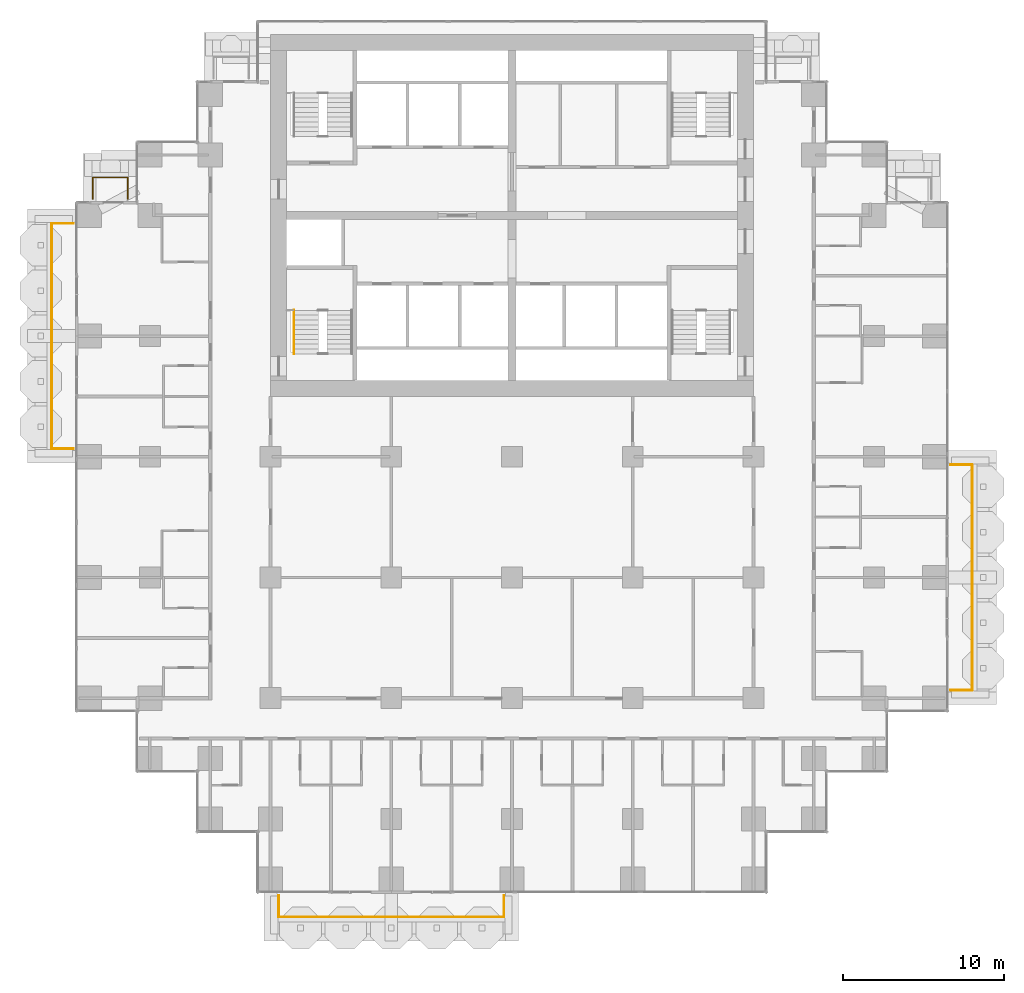
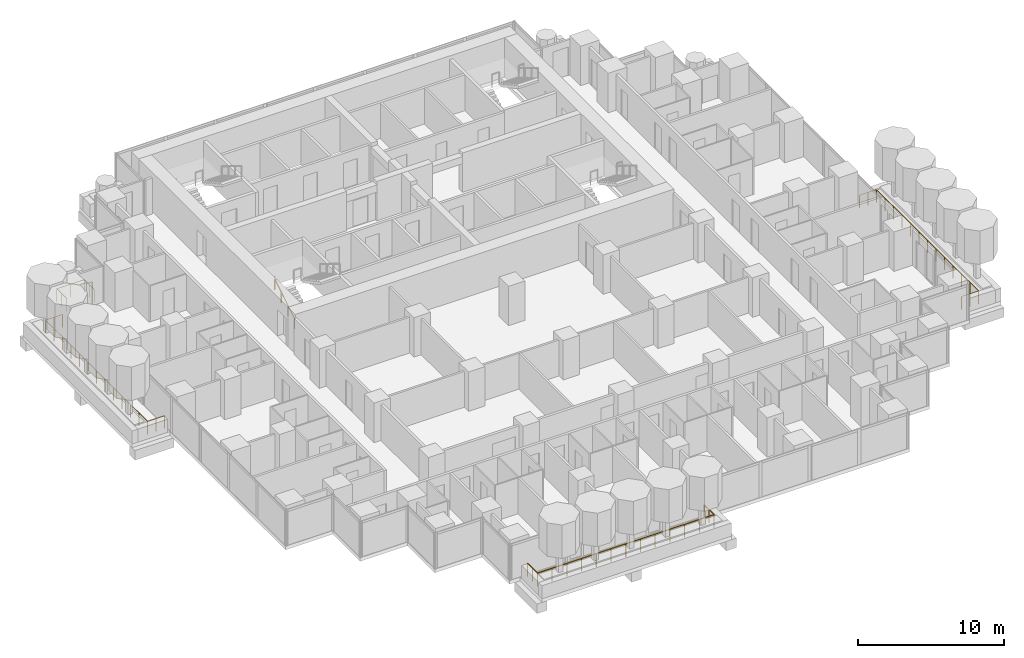
# One storey, part 17 of 19: 5 railings.
"""IFC4 building model written with IfcOpenShell, lengths in metres."""

from ifc_helpers import new_model, si_unit, direction, frame, origin, origin_2d, place, context, subcontext, project, spatial, circle, extrude, material, type_object, element, save


model = new_model("IFC4")

# Units and contexts
model_context = context("Model", 3, precision=1e-05, world=origin(), true_north=direction((0.0, 1.0)))
body_context = subcontext(model_context, "Body", "Model", "MODEL_VIEW")
ifc_project = project(units=[si_unit("LENGTHUNIT", "METRE"), si_unit("AREAUNIT", "SQUARE_METRE"), si_unit("VOLUMEUNIT", "CUBIC_METRE"), si_unit("PLANEANGLEUNIT", "RADIAN"), si_unit("MASSUNIT", "GRAM", prefix="KILO")], contexts=[model_context])

# Site, building, storey
site_placement = place(None, origin())
site = spatial("IfcSite", under=ifc_project, at=site_placement, CompositionType="ELEMENT")
building_placement = place(site_placement, origin())
building = spatial("IfcBuilding", under=site, at=building_placement, Name="Pilkhan Gate Tower", CompositionType="ELEMENT")
storey_placement = place(building_placement, frame((0.0, 0.0, 95.60009765625)))
storey = spatial("IfcBuildingStorey", under=building, at=storey_placement, Name="L23", CompositionType="ELEMENT", Elevation=95.60009765625)

# Railings
ifc_material_1 = material(Name="Pale anodised aluminium posts, laminated glass infill", Category="aluminium")
railing_type_1 = type_object("IfcRailingType", Name="Balcony guard G1", PredefinedType="BALUSTRADE", material=ifc_material_1)
railing_1_placement = place(storey_placement, frame((60.5, 40.25, 0.0)))
element("IfcRailing", 1, at=railing_1_placement, inside=storey, type_object=railing_type_1, Name="Balcony guard L23 S", PredefinedType="BALUSTRADE", context=body_context, shape_type="SweptSolid", body=[
    extrude(circle(Radius=0.02392578125, at=origin_2d()), frame((0.0, 0.0, 1.076171875), z_axis=(0.0, -1.0, 0.0), x_axis=(1.0, 0.0, 0.0)), (0.0, 0.0, 1.0), 1.35009765625),
    extrude(circle(Radius=0.02392578125, at=origin_2d()), frame((0.0, -1.35009765625, 1.076171875), z_axis=(1.0, 0.0, 0.0), x_axis=(0.0, 1.0, 0.0)), (0.0, 0.0, 1.0), 14.0),
    extrude(circle(Radius=0.02392578125, at=origin_2d()), frame((14.0, -1.35009765625, 1.076171875), z_axis=(0.0, 1.0, 0.0), x_axis=(-1.0, 0.0, 0.0)), (0.0, 0.0, 1.0), 1.35009765625),
    extrude(circle(Radius=0.02099609375, at=origin_2d()), origin(), (0.0, 0.0, 1.0), 1.052001953125),
    extrude(circle(Radius=0.02099609375, at=origin_2d()), frame((0.0, -0.675048828125, 0.0)), (0.0, 0.0, 1.0), 1.052001953125),
    extrude(circle(Radius=0.02099609375, at=origin_2d()), frame((0.0, -1.35009765625, 0.0)), (0.0, 0.0, 1.0), 1.052001953125),
    extrude(circle(Radius=0.02099609375, at=origin_2d()), frame((1.166748046875, -1.35009765625, 0.0)), (0.0, 0.0, 1.0), 1.052001953125),
    extrude(circle(Radius=0.02099609375, at=origin_2d()), frame((2.333251953125, -1.35009765625, 0.0)), (0.0, 0.0, 1.0), 1.052001953125),
    extrude(circle(Radius=0.02099609375, at=origin_2d()), frame((3.5, -1.35009765625, 0.0)), (0.0, 0.0, 1.0), 1.052001953125),
    extrude(circle(Radius=0.02099609375, at=origin_2d()), frame((4.666748046875, -1.35009765625, 0.0)), (0.0, 0.0, 1.0), 1.052001953125),
    extrude(circle(Radius=0.02099609375, at=origin_2d()), frame((5.833251953125, -1.35009765625, 0.0)), (0.0, 0.0, 1.0), 1.052001953125),
    extrude(circle(Radius=0.02099609375, at=origin_2d()), frame((7.0, -1.35009765625, 0.0)), (0.0, 0.0, 1.0), 1.052001953125),
    extrude(circle(Radius=0.02099609375, at=origin_2d()), frame((8.166748046875, -1.35009765625, 0.0)), (0.0, 0.0, 1.0), 1.052001953125),
    extrude(circle(Radius=0.02099609375, at=origin_2d()), frame((9.333251953125, -1.35009765625, 0.0)), (0.0, 0.0, 1.0), 1.052001953125),
    extrude(circle(Radius=0.02099609375, at=origin_2d()), frame((10.5, -1.35009765625, 0.0)), (0.0, 0.0, 1.0), 1.052001953125),
    extrude(circle(Radius=0.02099609375, at=origin_2d()), frame((11.666748046875, -1.35009765625, 0.0)), (0.0, 0.0, 1.0), 1.052001953125),
    extrude(circle(Radius=0.02099609375, at=origin_2d()), frame((12.833251953125, -1.35009765625, 0.0)), (0.0, 0.0, 1.0), 1.052001953125),
    extrude(circle(Radius=0.02099609375, at=origin_2d()), frame((14.0, -1.35009765625, 0.0)), (0.0, 0.0, 1.0), 1.052001953125),
    extrude(circle(Radius=0.02099609375, at=origin_2d()), frame((14.0, -0.675048828125, 0.0)), (0.0, 0.0, 1.0), 1.052001953125),
    extrude(circle(Radius=0.02099609375, at=origin_2d()), frame((14.0, 0.0, 0.0)), (0.0, 0.0, 1.0), 1.052001953125),
])
railing_2_placement = place(storey_placement, frame((102.25, 53.0, 0.0)))
element("IfcRailing", 2, at=railing_2_placement, inside=storey, type_object=railing_type_1, Name="Balcony guard L23 E", PredefinedType="BALUSTRADE", context=body_context, shape_type="SweptSolid", body=[
    extrude(circle(Radius=0.02392578125, at=origin_2d()), frame((0.0, 0.0, 1.076171875), z_axis=(1.0, 0.0, 0.0), x_axis=(0.0, 1.0, 0.0)), (0.0, 0.0, 1.0), 1.35009765625),
    extrude(circle(Radius=0.02392578125, at=origin_2d()), frame((1.35009765625, 0.0, 1.076171875), z_axis=(0.0, 1.0, 0.0), x_axis=(-1.0, 0.0, 0.0)), (0.0, 0.0, 1.0), 14.0),
    extrude(circle(Radius=0.02392578125, at=origin_2d()), frame((1.35009765625, 14.0, 1.076171875), z_axis=(-1.0, 0.0, 0.0), x_axis=(0.0, -1.0, 0.0)), (0.0, 0.0, 1.0), 1.35009765625),
    extrude(circle(Radius=0.02099609375, at=origin_2d()), origin(), (0.0, 0.0, 1.0), 1.052001953125),
    extrude(circle(Radius=0.02099609375, at=origin_2d()), frame((0.675048828125, 0.0, 0.0)), (0.0, 0.0, 1.0), 1.052001953125),
    extrude(circle(Radius=0.02099609375, at=origin_2d()), frame((1.35009765625, 0.0, 0.0)), (0.0, 0.0, 1.0), 1.052001953125),
    extrude(circle(Radius=0.02099609375, at=origin_2d()), frame((1.35009765625, 1.166748046875, 0.0)), (0.0, 0.0, 1.0), 1.052001953125),
    extrude(circle(Radius=0.02099609375, at=origin_2d()), frame((1.35009765625, 2.333251953125, 0.0)), (0.0, 0.0, 1.0), 1.052001953125),
    extrude(circle(Radius=0.02099609375, at=origin_2d()), frame((1.35009765625, 3.5, 0.0)), (0.0, 0.0, 1.0), 1.052001953125),
    extrude(circle(Radius=0.02099609375, at=origin_2d()), frame((1.35009765625, 4.666748046875, 0.0)), (0.0, 0.0, 1.0), 1.052001953125),
    extrude(circle(Radius=0.02099609375, at=origin_2d()), frame((1.35009765625, 5.833251953125, 0.0)), (0.0, 0.0, 1.0), 1.052001953125),
    extrude(circle(Radius=0.02099609375, at=origin_2d()), frame((1.35009765625, 7.0, 0.0)), (0.0, 0.0, 1.0), 1.052001953125),
    extrude(circle(Radius=0.02099609375, at=origin_2d()), frame((1.35009765625, 8.166748046875, 0.0)), (0.0, 0.0, 1.0), 1.052001953125),
    extrude(circle(Radius=0.02099609375, at=origin_2d()), frame((1.35009765625, 9.333251953125, 0.0)), (0.0, 0.0, 1.0), 1.052001953125),
    extrude(circle(Radius=0.02099609375, at=origin_2d()), frame((1.35009765625, 10.5, 0.0)), (0.0, 0.0, 1.0), 1.052001953125),
    extrude(circle(Radius=0.02099609375, at=origin_2d()), frame((1.35009765625, 11.666748046875, 0.0)), (0.0, 0.0, 1.0), 1.052001953125),
    extrude(circle(Radius=0.02099609375, at=origin_2d()), frame((1.35009765625, 12.833251953125, 0.0)), (0.0, 0.0, 1.0), 1.052001953125),
    extrude(circle(Radius=0.02099609375, at=origin_2d()), frame((1.35009765625, 14.0, 0.0)), (0.0, 0.0, 1.0), 1.052001953125),
    extrude(circle(Radius=0.02099609375, at=origin_2d()), frame((0.675048828125, 14.0, 0.0)), (0.0, 0.0, 1.0), 1.052001953125),
    extrude(circle(Radius=0.02099609375, at=origin_2d()), frame((0.0, 14.0, 0.0)), (0.0, 0.0, 1.0), 1.052001953125),
])
railing_3_placement = place(storey_placement, frame((48.949951171875, 83.52001953125, 0.0)))
element("IfcRailing", 3, at=railing_3_placement, inside=storey, type_object=railing_type_1, Name="Balcony guard L23 N", PredefinedType="BALUSTRADE", context=body_context, shape_type="SweptSolid", body=[
    extrude(circle(Radius=0.02392578125, at=origin_2d()), frame((0.0, 0.0, 1.076171875), z_axis=(0.0, 1.0, 0.0), x_axis=(-1.0, 0.0, 0.0)), (0.0, 0.0, 1.0), 1.330078125),
    extrude(circle(Radius=0.02392578125, at=origin_2d()), frame((0.0, 1.330078125, 1.076171875), z_axis=(1.0, 0.0, 0.0), x_axis=(0.0, 1.0, 0.0)), (0.0, 0.0, 1.0), 2.179931640625),
    extrude(circle(Radius=0.02392578125, at=origin_2d()), frame((2.179931640625, 1.330078125, 1.076171875), z_axis=(0.0, -1.0, 0.0), x_axis=(1.0, 0.0, 0.0)), (0.0, 0.0, 1.0), 1.330078125),
    extrude(circle(Radius=0.02099609375, at=origin_2d()), origin(), (0.0, 0.0, 1.0), 1.052001953125),
    extrude(circle(Radius=0.02099609375, at=origin_2d()), frame((0.0, 0.6650390625, 0.0)), (0.0, 0.0, 1.0), 1.052001953125),
    extrude(circle(Radius=0.02099609375, at=origin_2d()), frame((0.0, 1.330078125, 0.0)), (0.0, 0.0, 1.0), 1.052001953125),
    extrude(circle(Radius=0.02099609375, at=origin_2d()), frame((1.08984375, 1.330078125, 0.0)), (0.0, 0.0, 1.0), 1.052001953125),
    extrude(circle(Radius=0.02099609375, at=origin_2d()), frame((2.179931640625, 1.330078125, 0.0)), (0.0, 0.0, 1.0), 1.052001953125),
    extrude(circle(Radius=0.02099609375, at=origin_2d()), frame((2.179931640625, 0.6650390625, 0.0)), (0.0, 0.0, 1.0), 1.052001953125),
    extrude(circle(Radius=0.02099609375, at=origin_2d()), frame((2.179931640625, 0.0, 0.0)), (0.0, 0.0, 1.0), 1.052001953125),
])
railing_4_placement = place(storey_placement, frame((47.75, 68.0, 0.0)))
element("IfcRailing", 4, at=railing_4_placement, inside=storey, type_object=railing_type_1, Name="Balcony guard L23 W", PredefinedType="BALUSTRADE", context=body_context, shape_type="SweptSolid", body=[
    extrude(circle(Radius=0.02392578125, at=origin_2d()), frame((0.0, 0.0, 1.076171875), z_axis=(-1.0, 0.0, 0.0), x_axis=(0.0, -1.0, 0.0)), (0.0, 0.0, 1.0), 1.35009765625),
    extrude(circle(Radius=0.02392578125, at=origin_2d()), frame((-1.35009765625, 0.0, 1.076171875), z_axis=(0.0, 1.0, 0.0), x_axis=(-1.0, 0.0, 0.0)), (0.0, 0.0, 1.0), 14.0),
    extrude(circle(Radius=0.02392578125, at=origin_2d()), frame((-1.35009765625, 14.0, 1.076171875), z_axis=(1.0, 0.0, 0.0), x_axis=(0.0, 1.0, 0.0)), (0.0, 0.0, 1.0), 1.35009765625),
    extrude(circle(Radius=0.02099609375, at=origin_2d()), origin(), (0.0, 0.0, 1.0), 1.052001953125),
    extrude(circle(Radius=0.02099609375, at=origin_2d()), frame((-0.675048828125, 0.0, 0.0)), (0.0, 0.0, 1.0), 1.052001953125),
    extrude(circle(Radius=0.02099609375, at=origin_2d()), frame((-1.35009765625, 0.0, 0.0)), (0.0, 0.0, 1.0), 1.052001953125),
    extrude(circle(Radius=0.02099609375, at=origin_2d()), frame((-1.35009765625, 1.166748046875, 0.0)), (0.0, 0.0, 1.0), 1.052001953125),
    extrude(circle(Radius=0.02099609375, at=origin_2d()), frame((-1.35009765625, 2.333251953125, 0.0)), (0.0, 0.0, 1.0), 1.052001953125),
    extrude(circle(Radius=0.02099609375, at=origin_2d()), frame((-1.35009765625, 3.5, 0.0)), (0.0, 0.0, 1.0), 1.052001953125),
    extrude(circle(Radius=0.02099609375, at=origin_2d()), frame((-1.35009765625, 4.666748046875, 0.0)), (0.0, 0.0, 1.0), 1.052001953125),
    extrude(circle(Radius=0.02099609375, at=origin_2d()), frame((-1.35009765625, 5.833251953125, 0.0)), (0.0, 0.0, 1.0), 1.052001953125),
    extrude(circle(Radius=0.02099609375, at=origin_2d()), frame((-1.35009765625, 7.0, 0.0)), (0.0, 0.0, 1.0), 1.052001953125),
    extrude(circle(Radius=0.02099609375, at=origin_2d()), frame((-1.35009765625, 8.166748046875, 0.0)), (0.0, 0.0, 1.0), 1.052001953125),
    extrude(circle(Radius=0.02099609375, at=origin_2d()), frame((-1.35009765625, 9.333251953125, 0.0)), (0.0, 0.0, 1.0), 1.052001953125),
    extrude(circle(Radius=0.02099609375, at=origin_2d()), frame((-1.35009765625, 10.5, 0.0)), (0.0, 0.0, 1.0), 1.052001953125),
    extrude(circle(Radius=0.02099609375, at=origin_2d()), frame((-1.35009765625, 11.666748046875, 0.0)), (0.0, 0.0, 1.0), 1.052001953125),
    extrude(circle(Radius=0.02099609375, at=origin_2d()), frame((-1.35009765625, 12.833251953125, 0.0)), (0.0, 0.0, 1.0), 1.052001953125),
    extrude(circle(Radius=0.02099609375, at=origin_2d()), frame((-1.35009765625, 14.0, 0.0)), (0.0, 0.0, 1.0), 1.052001953125),
    extrude(circle(Radius=0.02099609375, at=origin_2d()), frame((-0.675048828125, 14.0, 0.0)), (0.0, 0.0, 1.0), 1.052001953125),
    extrude(circle(Radius=0.02099609375, at=origin_2d()), frame((0.0, 14.0, 0.0)), (0.0, 0.0, 1.0), 1.052001953125),
])
ifc_material_2 = material(Name="Black powder-coated steel tube", Category="steel")
railing_type_2 = type_object("IfcRailingType", Name="Stair handrail HR1", PredefinedType="HANDRAIL", material=ifc_material_2)
railing_5_placement = place(storey_placement, frame((61.449951171875, 73.89990234375, 0.0)))
element("IfcRailing", 5, at=railing_5_placement, inside=storey, type_object=railing_type_2, Name="Stair ST2 handrail L23", PredefinedType="HANDRAIL", context=body_context, shape_type="SweptSolid", body=[
    extrude(circle(Radius=0.02392578125, at=origin_2d()), frame((0.0, 0.0, 0.8759765625), z_axis=(0.0, 0.853312346642, 0.521400075823), x_axis=(-1.0, 0.0, 0.0)), (0.0, 0.0, 1.0), 3.164306640625),
    extrude(circle(Radius=0.02099609375, at=origin_2d()), origin(), (0.0, 0.0, 1.0), 0.851806640625),
    extrude(circle(Radius=0.02099609375, at=origin_2d()), frame((0.0, 0.900146484375, 0.550048828125)), (0.0, 0.0, 1.0), 0.851806640625),
    extrude(circle(Radius=0.02099609375, at=origin_2d()), frame((0.0, 1.800048828125, 1.099853515625)), (0.0, 0.0, 1.0), 0.851806640625),
    extrude(circle(Radius=0.02099609375, at=origin_2d()), frame((0.0, 2.7001953125, 1.64990234375)), (0.0, 0.0, 1.0), 0.851806640625),
])

save(model, "model.ifc")
